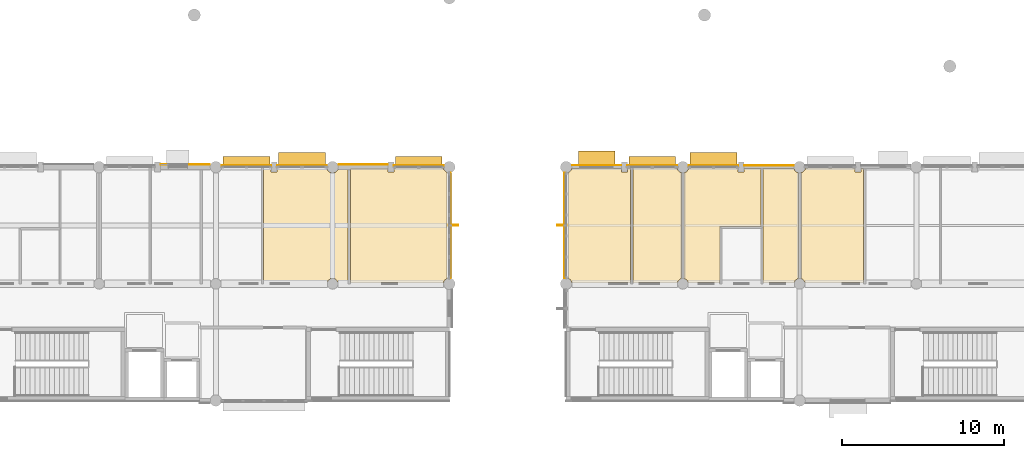
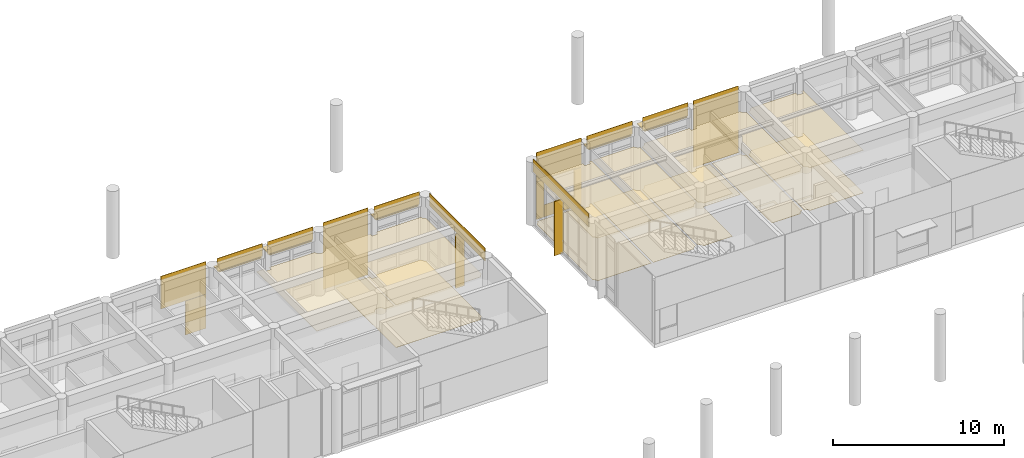
# One storey, part 86 of 92: 28 coverings, 8 shading devices.
"""IFC4 building model written with IfcOpenShell, lengths in metres."""

from ifc_helpers import new_model, si_unit, direction, frame, origin, origin_2d, place, context, subcontext, project, spatial, polyline, rectangle, outline, extrude, material, layer, layer_set, type_object, element, save


model = new_model("IFC4")

# Units and contexts
model_context = context("Model", 3, precision=1e-05, world=origin(), true_north=direction((0.0, 1.0)))
body_context = subcontext(model_context, "Body", "Model", "MODEL_VIEW")
ifc_project = project(units=[si_unit("LENGTHUNIT", "METRE"), si_unit("AREAUNIT", "SQUARE_METRE"), si_unit("VOLUMEUNIT", "CUBIC_METRE"), si_unit("PLANEANGLEUNIT", "RADIAN"), si_unit("MASSUNIT", "GRAM", prefix="KILO")], contexts=[model_context])

# Site, building, storey
site_placement = place(None, origin())
site = spatial("IfcSite", under=ifc_project, at=site_placement, CompositionType="ELEMENT")
building_placement = place(site_placement, origin())
building = spatial("IfcBuilding", under=site, at=building_placement, Name="Namkhue Oval Health Centre", CompositionType="ELEMENT")
storey_placement = place(building_placement, frame((0.0, 0.0, 4.800048828125)))
storey = spatial("IfcBuildingStorey", under=building, at=storey_placement, Name="L01", CompositionType="ELEMENT", Elevation=4.800048828125)

# Coverings
ifc_material_1 = material(Name="Acoustic mineral-fibre cleanroom ceiling", Category="gypsum")
ifc_layer_1 = layer(ifc_material_1, 0.02001953125)
ifc_layer_set_1 = layer_set([ifc_layer_1], Name="Acoustic mineral-fibre cleanroom ceiling")
covering_type_1 = type_object("IfcCoveringType", Name="ACOUSTIC CLEANROOM CEILING 20", PredefinedType="CEILING", material=ifc_layer_set_1)
covering_1_placement = place(storey_placement, frame((0.0, 0.0, 3.050048828125)))
element("IfcCovering", 1, at=covering_1_placement, inside=storey, type_object=covering_type_1, Name="Acoustic Ceiling L01-208 Paediatric Assessment Suite", PredefinedType="CEILING", context=body_context, shape_type="SweptSolid", body=[
    extrude(outline(polyline([(79.5244140625, 97.280029296875), (79.489990234375, 97.367431640625), (79.43701171875, 97.43701171875), (79.367431640625, 97.489990234375), (79.28662109375, 97.523681640625), (79.199951171875, 97.534912109375), (79.11328125, 97.523681640625), (79.032470703125, 97.489990234375), (78.963134765625, 97.43701171875), (78.909912109375, 97.367431640625), (78.87548828125, 97.280029296875), (74.943115234375, 97.280029296875), (74.943115234375, 104.31494140625), (75.4150390625, 104.31494140625), (75.4150390625, 104.090087890625), (75.784912109375, 104.090087890625), (75.784912109375, 104.31494140625), (78.851318359375, 104.31494140625), (78.88818359375, 104.219970703125), (78.9453125, 104.1455078125), (79.02001953125, 104.088134765625), (79.106689453125, 104.05224609375), (79.199951171875, 104.0400390625), (79.293212890625, 104.05224609375), (79.3798828125, 104.088134765625), (79.45458984375, 104.1455078125), (79.51171875, 104.219970703125), (79.548828125, 104.31494140625), (80.1640625, 104.31494140625), (80.1640625, 97.280029296875), (79.5244140625, 97.280029296875)])), origin(), (0.0, 0.0, 1.0), 0.02001953125),
])
covering_2_placement = place(storey_placement, frame((0.0, 0.0, 3.050048828125)))
element("IfcCovering", 2, at=covering_2_placement, inside=storey, type_object=covering_type_1, Name="Acoustic Ceiling L01-209 Electrocardiogram Procedure Room", PredefinedType="CEILING", context=body_context, shape_type="SweptSolid", body=[
    extrude(outline(polyline([(80.303955078125, 97.280029296875), (80.303955078125, 104.31494140625), (82.614990234375, 104.31494140625), (82.614990234375, 104.090087890625), (82.985107421875, 104.090087890625), (82.985107421875, 104.31494140625), (86.05126953125, 104.31494140625), (86.088134765625, 104.219970703125), (86.1455078125, 104.1455078125), (86.219970703125, 104.088134765625), (86.2451171875, 104.077880859375), (86.2451171875, 97.522216796875), (86.219970703125, 97.51171875), (86.1455078125, 97.45458984375), (86.088134765625, 97.3798828125), (86.05224609375, 97.293212890625), (86.050537109375, 97.280029296875), (80.303955078125, 97.280029296875)])), origin(), (0.0, 0.0, 1.0), 0.02001953125),
])
covering_3_placement = place(storey_placement, frame((0.0, 0.0, 3.050048828125)))
element("IfcCovering", 3, at=covering_3_placement, inside=storey, type_object=covering_type_1, Name="Acoustic Ceiling L01-301 OB GYN Examination Suite", PredefinedType="CEILING", context=body_context, shape_type="SweptSolid", body=[
    extrude(outline(polyline([(93.949462890625, 97.280029296875), (93.94775390625, 97.293212890625), (93.911865234375, 97.3798828125), (93.8544921875, 97.45458984375), (93.780029296875, 97.51171875), (93.7548828125, 97.522216796875), (93.7548828125, 104.077880859375), (93.780029296875, 104.088134765625), (93.8544921875, 104.1455078125), (93.911865234375, 104.219970703125), (93.94873046875, 104.31494140625), (97.014892578125, 104.31494140625), (97.014892578125, 104.090087890625), (97.385009765625, 104.090087890625), (97.385009765625, 104.31494140625), (97.580078125, 104.31494140625), (97.580078125, 97.280029296875), (93.949462890625, 97.280029296875)])), origin(), (0.0, 0.0, 1.0), 0.02001953125),
])
covering_4_placement = place(storey_placement, frame((0.0, 0.0, 3.050048828125)))
element("IfcCovering", 4, at=covering_4_placement, inside=storey, type_object=covering_type_1, Name="Acoustic Ceiling L01-302 Sterile Instrument Store", PredefinedType="CEILING", context=body_context, shape_type="SweptSolid", body=[
    extrude(outline(polyline([(97.719970703125, 97.280029296875), (97.719970703125, 104.31494140625), (100.451171875, 104.31494140625), (100.48828125, 104.219970703125), (100.54541015625, 104.1455078125), (100.6201171875, 104.088134765625), (100.706787109375, 104.05224609375), (100.72998046875, 104.04931640625), (100.72998046875, 97.52587890625), (100.71337890625, 97.523681640625), (100.632568359375, 97.489990234375), (100.56298828125, 97.43701171875), (100.510009765625, 97.367431640625), (100.4755859375, 97.280029296875), (97.719970703125, 97.280029296875)])), origin(), (0.0, 0.0, 1.0), 0.02001953125),
])
covering_5_placement = place(storey_placement, frame((0.0, 0.0, 3.050048828125)))
element("IfcCovering", 5, at=covering_5_placement, inside=storey, type_object=covering_type_1, Name="Acoustic Ceiling L01-303 Baby Care and Lactation Room", PredefinedType="CEILING", context=body_context, shape_type="SweptSolid", body=[
    extrude(outline(polyline([(104.215087890625, 104.31494140625), (104.215087890625, 104.090087890625), (104.5849609375, 104.090087890625), (104.5849609375, 104.31494140625), (105.6201171875, 104.31494140625), (105.6201171875, 100.739990234375), (103.080078125, 100.739990234375), (103.080078125, 97.280029296875), (101.12451171875, 97.280029296875), (101.090087890625, 97.367431640625), (101.036865234375, 97.43701171875), (100.967529296875, 97.489990234375), (100.88671875, 97.523681640625), (100.8701171875, 97.52587890625), (100.8701171875, 104.04931640625), (100.893310546875, 104.05224609375), (100.97998046875, 104.088134765625), (101.0546875, 104.1455078125), (101.11181640625, 104.219970703125), (101.148681640625, 104.31494140625), (104.215087890625, 104.31494140625)])), origin(), (0.0, 0.0, 1.0), 0.02001953125),
])
covering_6_placement = place(storey_placement, frame((0.0, 0.0, 3.050048828125)))
element("IfcCovering", 6, at=covering_6_placement, inside=storey, type_object=covering_type_1, Name="Acoustic Ceiling L01-305 Patient Washroom", PredefinedType="CEILING", context=body_context, shape_type="SweptSolid", body=[
    extrude(outline(polyline([(105.739990234375, 97.280029296875), (105.739990234375, 104.31494140625), (107.651123046875, 104.31494140625), (107.688232421875, 104.219970703125), (107.745361328125, 104.1455078125), (107.820068359375, 104.088134765625), (107.90673828125, 104.05224609375), (107.929931640625, 104.04931640625), (107.929931640625, 97.52587890625), (107.913330078125, 97.523681640625), (107.83251953125, 97.489990234375), (107.76318359375, 97.43701171875), (107.7099609375, 97.367431640625), (107.675537109375, 97.280029296875), (105.739990234375, 97.280029296875)])), origin(), (0.0, 0.0, 1.0), 0.02001953125),
])
covering_7_placement = place(storey_placement, frame((0.0, 0.0, 3.050048828125)))
element("IfcCovering", 7, at=covering_7_placement, inside=storey, type_object=covering_type_1, Name="Acoustic Ceiling L01-306 Prenatal Ultrasound Clinic", PredefinedType="CEILING", context=body_context, shape_type="SweptSolid", body=[
    extrude(outline(polyline([(108.324462890625, 97.280029296875), (108.2900390625, 97.367431640625), (108.23681640625, 97.43701171875), (108.16748046875, 97.489990234375), (108.086669921875, 97.523681640625), (108.070068359375, 97.52587890625), (108.070068359375, 104.04931640625), (108.09326171875, 104.05224609375), (108.179931640625, 104.088134765625), (108.254638671875, 104.1455078125), (108.311767578125, 104.219970703125), (108.348876953125, 104.31494140625), (111.4150390625, 104.31494140625), (111.4150390625, 104.090087890625), (111.784912109375, 104.090087890625), (111.784912109375, 104.31494140625), (111.93505859375, 104.31494140625), (111.93505859375, 97.280029296875), (108.324462890625, 97.280029296875)])), origin(), (0.0, 0.0, 1.0), 0.02001953125),
])
ifc_material_2 = material(Name="Homogeneous anti-bacterial clinical vinyl flooring", Category="plastic")
ifc_layer_2 = layer(ifc_material_2, 0.014892578125)
ifc_layer_set_2 = layer_set([ifc_layer_2], Name="Homogeneous anti-bacterial clinical vinyl flooring")
covering_type_2 = type_object("IfcCoveringType", Name="CLINICAL ANTIBACTERIAL VINYL FLOORING 15", PredefinedType="FLOORING", material=ifc_layer_set_2)
covering_8_placement = place(storey_placement, origin())
element("IfcCovering", 8, at=covering_8_placement, inside=storey, type_object=covering_type_2, Name="Clinical Flooring L01-209 Electrocardiogram Procedure Room", PredefinedType="FLOORING", context=body_context, shape_type="SweptSolid", body=[
    extrude(outline(polyline([(80.303955078125, 97.280029296875), (80.303955078125, 104.31494140625), (82.614990234375, 104.31494140625), (82.614990234375, 104.090087890625), (82.985107421875, 104.090087890625), (82.985107421875, 104.31494140625), (86.05126953125, 104.31494140625), (86.088134765625, 104.219970703125), (86.1455078125, 104.1455078125), (86.219970703125, 104.088134765625), (86.2451171875, 104.077880859375), (86.2451171875, 97.522216796875), (86.219970703125, 97.51171875), (86.1455078125, 97.45458984375), (86.088134765625, 97.3798828125), (86.05224609375, 97.293212890625), (86.050537109375, 97.280029296875), (80.303955078125, 97.280029296875)])), origin(), (0.0, 0.0, 1.0), 0.014892578125),
])
covering_9_placement = place(storey_placement, origin())
element("IfcCovering", 9, at=covering_9_placement, inside=storey, type_object=covering_type_2, Name="Clinical Flooring L01-301 OB GYN Examination Suite", PredefinedType="FLOORING", context=body_context, shape_type="SweptSolid", body=[
    extrude(outline(polyline([(93.949462890625, 97.280029296875), (93.94775390625, 97.293212890625), (93.911865234375, 97.3798828125), (93.8544921875, 97.45458984375), (93.780029296875, 97.51171875), (93.7548828125, 97.522216796875), (93.7548828125, 104.077880859375), (93.780029296875, 104.088134765625), (93.8544921875, 104.1455078125), (93.911865234375, 104.219970703125), (93.94873046875, 104.31494140625), (97.014892578125, 104.31494140625), (97.014892578125, 104.090087890625), (97.385009765625, 104.090087890625), (97.385009765625, 104.31494140625), (97.580078125, 104.31494140625), (97.580078125, 97.280029296875), (93.949462890625, 97.280029296875)])), origin(), (0.0, 0.0, 1.0), 0.014892578125),
])
covering_10_placement = place(storey_placement, origin())
element("IfcCovering", 10, at=covering_10_placement, inside=storey, type_object=covering_type_2, Name="Clinical Flooring L01-302 Sterile Instrument Store", PredefinedType="FLOORING", context=body_context, shape_type="SweptSolid", body=[
    extrude(outline(polyline([(97.719970703125, 97.280029296875), (97.719970703125, 104.31494140625), (100.451171875, 104.31494140625), (100.48828125, 104.219970703125), (100.54541015625, 104.1455078125), (100.6201171875, 104.088134765625), (100.706787109375, 104.05224609375), (100.72998046875, 104.04931640625), (100.72998046875, 97.52587890625), (100.71337890625, 97.523681640625), (100.632568359375, 97.489990234375), (100.56298828125, 97.43701171875), (100.510009765625, 97.367431640625), (100.4755859375, 97.280029296875), (97.719970703125, 97.280029296875)])), origin(), (0.0, 0.0, 1.0), 0.014892578125),
])
covering_11_placement = place(storey_placement, origin())
element("IfcCovering", 11, at=covering_11_placement, inside=storey, type_object=covering_type_2, Name="Clinical Flooring L01-303 Baby Care and Lactation Room", PredefinedType="FLOORING", context=body_context, shape_type="SweptSolid", body=[
    extrude(outline(polyline([(104.215087890625, 104.31494140625), (104.215087890625, 104.090087890625), (104.5849609375, 104.090087890625), (104.5849609375, 104.31494140625), (105.6201171875, 104.31494140625), (105.6201171875, 100.739990234375), (103.080078125, 100.739990234375), (103.080078125, 97.280029296875), (101.12451171875, 97.280029296875), (101.090087890625, 97.367431640625), (101.036865234375, 97.43701171875), (100.967529296875, 97.489990234375), (100.88671875, 97.523681640625), (100.8701171875, 97.52587890625), (100.8701171875, 104.04931640625), (100.893310546875, 104.05224609375), (100.97998046875, 104.088134765625), (101.0546875, 104.1455078125), (101.11181640625, 104.219970703125), (101.148681640625, 104.31494140625), (104.215087890625, 104.31494140625)])), origin(), (0.0, 0.0, 1.0), 0.014892578125),
])
covering_12_placement = place(storey_placement, origin())
element("IfcCovering", 12, at=covering_12_placement, inside=storey, type_object=covering_type_2, Name="Clinical Flooring L01-305 Patient Washroom", PredefinedType="FLOORING", context=body_context, shape_type="SweptSolid", body=[
    extrude(outline(polyline([(105.739990234375, 97.280029296875), (105.739990234375, 104.31494140625), (107.651123046875, 104.31494140625), (107.688232421875, 104.219970703125), (107.745361328125, 104.1455078125), (107.820068359375, 104.088134765625), (107.90673828125, 104.05224609375), (107.929931640625, 104.04931640625), (107.929931640625, 97.52587890625), (107.913330078125, 97.523681640625), (107.83251953125, 97.489990234375), (107.76318359375, 97.43701171875), (107.7099609375, 97.367431640625), (107.675537109375, 97.280029296875), (105.739990234375, 97.280029296875)])), origin(), (0.0, 0.0, 1.0), 0.014892578125),
])
covering_13_placement = place(storey_placement, origin())
element("IfcCovering", 13, at=covering_13_placement, inside=storey, type_object=covering_type_2, Name="Clinical Flooring L01-306 Prenatal Ultrasound Clinic", PredefinedType="FLOORING", context=body_context, shape_type="SweptSolid", body=[
    extrude(outline(polyline([(108.324462890625, 97.280029296875), (108.2900390625, 97.367431640625), (108.23681640625, 97.43701171875), (108.16748046875, 97.489990234375), (108.086669921875, 97.523681640625), (108.070068359375, 97.52587890625), (108.070068359375, 104.04931640625), (108.09326171875, 104.05224609375), (108.179931640625, 104.088134765625), (108.254638671875, 104.1455078125), (108.311767578125, 104.219970703125), (108.348876953125, 104.31494140625), (111.4150390625, 104.31494140625), (111.4150390625, 104.090087890625), (111.784912109375, 104.090087890625), (111.784912109375, 104.31494140625), (111.93505859375, 104.31494140625), (111.93505859375, 97.280029296875), (108.324462890625, 97.280029296875)])), origin(), (0.0, 0.0, 1.0), 0.014892578125),
])

# Shading devices
ifc_material_3 = material(Name="Anodised aluminium EN AW-6063 T6", Category="aluminium")
ifc_layer_3 = layer(ifc_material_3, 0.06005859375)
ifc_layer_set_3 = layer_set([ifc_layer_3], Name="Anodised aluminium EN AW-6063 T6")
shading_device_type_1 = type_object("IfcShadingDeviceType", Name="MONSOON SUN LOUVRE 900", PredefinedType="JALOUSIE", material=ifc_layer_set_3)
for number, where, z_axis, x_axis, name in (
    (14, (77.31298828125, 104.85009765625, 3.8349609375), (0.0, 0.0, 1.0), (-1.0, 0.0, 0.0), "Volume V2 L01 Horizontal Monsoon Sun Louvre 66"),
    (15, (102.68701171875, 104.85009765625, 3.809814453125), (0.0, 0.0, 1.0), (-1.0, 0.0, 0.0), "Volume V3 L01 Horizontal Monsoon Sun Louvre 140"),
):
    element("IfcShadingDevice", number, at=place(storey_placement, frame(where, z_axis=z_axis, x_axis=x_axis)), inside=storey, type_object=shading_device_type_1, Name=name, PredefinedType="JALOUSIE", context=body_context, shape_type="SweptSolid", body=[
        extrude(rectangle(XDim=2.884033203125, YDim=0.89990234375, at=origin_2d()), origin(), (0.0, 0.0, 1.0), 0.06005859375),
    ])
shading_device_1_placement = place(storey_placement, frame((95.487060546875, 104.93994140625, 2.699951171875), z_axis=(0.0, 0.0, 1.0), x_axis=(-1.0, 0.0, 0.0)))
element("IfcShadingDevice", 16, at=shading_device_1_placement, inside=storey, type_object=shading_device_type_1, Name="Volume V3 L01 Window Monsoon Louvre 142", PredefinedType="JALOUSIE", context=body_context, shape_type="SweptSolid", body=[
    extrude(rectangle(XDim=2.239990234375, YDim=0.89990234375, at=origin_2d()), origin(), (0.0, 0.0, 1.0), 0.06005859375),
])
ifc_layer_4 = layer(ifc_material_3, 0.050048828125)
ifc_layer_set_4 = layer_set([ifc_layer_4], Name="Anodised aluminium EN AW-6063 T6")
shading_device_type_2 = type_object("IfcShadingDeviceType", Name="STORM SHUTTER LOUVRE 650", PredefinedType="SHUTTER", material=ifc_layer_set_4)
for number, where, z_axis, x_axis, name in (
    (17, (84.512939453125, 104.72509765625, 3.8349609375), (0.0, 0.0, 1.0), (-1.0, 0.0, 0.0), "Volume V2 L01 Horizontal Monsoon Sun Louvre 65"),
    (18, (73.886962890625, 104.72509765625, 3.8349609375), (0.0, 0.0, 1.0), (-1.0, 0.0, 0.0), "Volume V2 L01 Horizontal Monsoon Sun Louvre 67"),
    (19, (98.9130859375, 104.72509765625, 3.809814453125), (0.0, 0.0, 1.0), (-1.0, 0.0, 0.0), "Volume V3 L01 Horizontal Monsoon Sun Louvre 141"),
):
    element("IfcShadingDevice", number, at=place(storey_placement, frame(where, z_axis=z_axis, x_axis=x_axis)), inside=storey, type_object=shading_device_type_2, Name=name, PredefinedType="SHUTTER", context=body_context, shape_type="SweptSolid", body=[
        extrude(rectangle(XDim=2.884033203125, YDim=0.64990234375, at=origin_2d()), origin(), (0.0, 0.0, 1.0), 0.06005859375),
    ])
shading_device_type_3 = type_object("IfcShadingDeviceType", Name="VERTICAL SOLAR FIN 600", PredefinedType="USERDEFINED", material=ifc_material_3)
shading_device_2_placement = place(storey_placement, frame((86.659912109375, 100.800048828125, 0.0), z_axis=(0.0, 0.0, 1.0), x_axis=(1.0, 0.0, 0.0)))
element("IfcShadingDevice", 20, at=shading_device_2_placement, inside=storey, type_object=shading_device_type_3, Name="Volume V2 L01 Extruded Aluminium Solar Fin 64", ObjectType="SOLAR FIN", PredefinedType="USERDEFINED", context=body_context, shape_type="SweptSolid", body=[
    extrude(rectangle(XDim=0.60009765625, YDim=0.06005859375, at=origin_2d()), origin(), (0.0, 0.0, 1.0), 3.905029296875),
])
shading_device_3_placement = place(storey_placement, frame((93.340087890625, 100.800048828125, 0.0), z_axis=(0.0, 0.0, 1.0), x_axis=(-1.0, 0.0, 0.0)))
element("IfcShadingDevice", 21, at=shading_device_3_placement, inside=storey, type_object=shading_device_type_3, Name="Volume V3 L01 Extruded Aluminium Solar Fin 143", ObjectType="SOLAR FIN", PredefinedType="USERDEFINED", context=body_context, shape_type="SweptSolid", body=[
    extrude(rectangle(XDim=0.60009765625, YDim=0.06005859375, at=origin_2d()), origin(), (0.0, 0.0, 1.0), 3.8798828125),
])

# Coverings
ifc_material_4 = material(Name="White glass-fibre reinforced concrete GRC rainscreen cladding", Category="concrete")
ifc_layer_5 = layer(ifc_material_4, 0.02490234375)
ifc_layer_set_5 = layer_set([ifc_layer_5], Name="White glass-fibre reinforced concrete GRC rainscreen cladding")
covering_type_3 = type_object("IfcCoveringType", Name="WHITE GRC RAINSCREEN CLADDING 25", PredefinedType="CLADDING", material=ifc_layer_set_5)
covering_14_placement = place(storey_placement, frame((86.488525390625, 100.800048828125, 3.89013671875), z_axis=(0.0, 0.0, 1.0), x_axis=(0.0, 1.0, 0.0)))
element("IfcCovering", 22, at=covering_14_placement, inside=storey, type_object=covering_type_3, Name="Volume V2 L01 Curtain Wall Spandrel Cladding 50", PredefinedType="CLADDING", context=body_context, shape_type="SweptSolid", body=[
    extrude(rectangle(XDim=6.5, YDim=0.02490234375, at=origin_2d()), origin(), (0.0, 0.0, 1.0), 0.909912109375),
])
covering_15_placement = place(storey_placement, frame((84.512939453125, 104.488525390625, 3.89013671875), z_axis=(0.0, 0.0, 1.0), x_axis=(-1.0, 0.0, 0.0)))
element("IfcCovering", 23, at=covering_15_placement, inside=storey, type_object=covering_type_3, Name="Volume V2 L01 Curtain Wall Spandrel Cladding 51", PredefinedType="CLADDING", context=body_context, shape_type="SweptSolid", body=[
    extrude(rectangle(XDim=3.073974609375, YDim=0.02490234375, at=origin_2d()), origin(), (0.0, 0.0, 1.0), 0.909912109375),
])
covering_16_placement = place(storey_placement, frame((81.0869140625, 104.56689453125, 0.009765625), z_axis=(0.0, 0.0, 1.0), x_axis=(-1.0, 0.0, 0.0)))
element("IfcCovering", 24, at=covering_16_placement, inside=storey, type_object=covering_type_3, Name="Volume V2 L01 Facade 30 White GRC Cladding 1", PredefinedType="CLADDING", context=body_context, shape_type="SweptSolid", body=[
    extrude(rectangle(XDim=3.0439453125, YDim=0.02490234375, at=origin_2d()), origin(), (0.0, 0.0, 1.0), 4.780029296875),
])
for number, where, z_axis, x_axis, name in (
    (25, (77.31298828125, 104.488525390625, 3.89013671875), (0.0, 0.0, 1.0), (-1.0, 0.0, 0.0), "Volume V2 L01 Curtain Wall Spandrel Cladding 52"),
    (26, (73.886962890625, 104.488525390625, 3.89013671875), (0.0, 0.0, 1.0), (-1.0, 0.0, 0.0), "Volume V2 L01 Curtain Wall Spandrel Cladding 53"),
):
    element("IfcCovering", number, at=place(storey_placement, frame(where, z_axis=z_axis, x_axis=x_axis)), inside=storey, type_object=covering_type_3, Name=name, PredefinedType="CLADDING", context=body_context, shape_type="SweptSolid", body=[
        extrude(rectangle(XDim=3.073974609375, YDim=0.02490234375, at=origin_2d()), origin(), (0.0, 0.0, 1.0), 0.909912109375),
    ])
covering_17_placement = place(storey_placement, frame((70.113037109375, 104.572021484375, 2.455078125), z_axis=(0.0, 0.0, 1.0), x_axis=(-1.0, 0.0, 0.0)))
element("IfcCovering", 27, at=covering_17_placement, inside=storey, type_object=covering_type_3, Name="Volume V2 L01 Facade 31 White GRC Cladding 1", PredefinedType="CLADDING", context=body_context, shape_type="SweptSolid", body=[
    extrude(rectangle(XDim=3.0439453125, YDim=0.02490234375, at=origin_2d()), origin(), (0.0, 0.0, 1.0), 2.3349609375),
])
covering_18_placement = place(storey_placement, frame((70.944091796875, 104.572021484375, 0.010009765625), z_axis=(0.0, 0.0, 1.0), x_axis=(-1.0, 0.0, 0.0)))
element("IfcCovering", 28, at=covering_18_placement, inside=storey, type_object=covering_type_3, Name="Volume V2 L01 Facade 31 White GRC Cladding 2", PredefinedType="CLADDING", context=body_context, shape_type="SweptSolid", body=[
    extrude(rectangle(XDim=1.382080078125, YDim=0.02490234375, at=origin_2d()), origin(), (0.0, 0.0, 1.0), 2.43994140625),
])
covering_19_placement = place(storey_placement, frame((106.113037109375, 104.507080078125, 0.009765625), z_axis=(0.0, 0.0, 1.0), x_axis=(-1.0, 0.0, 0.0)))
element("IfcCovering", 29, at=covering_19_placement, inside=storey, type_object=covering_type_3, Name="Volume V3 L01 Facade 66 White GRC Cladding 1", PredefinedType="CLADDING", context=body_context, shape_type="SweptSolid", body=[
    extrude(rectangle(XDim=3.0439453125, YDim=0.02490234375, at=origin_2d()), origin(), (0.0, 0.0, 1.0), 4.780029296875),
])
for number, where, z_axis, x_axis, name in (
    (30, (102.68701171875, 104.488525390625, 3.864990234375), (0.0, 0.0, 1.0), (-1.0, 0.0, 0.0), "Volume V3 L01 Curtain Wall Spandrel Cladding 107"),
    (31, (98.9130859375, 104.488525390625, 3.864990234375), (0.0, 0.0, 1.0), (-1.0, 0.0, 0.0), "Volume V3 L01 Curtain Wall Spandrel Cladding 108"),
):
    element("IfcCovering", number, at=place(storey_placement, frame(where, z_axis=z_axis, x_axis=x_axis)), inside=storey, type_object=covering_type_3, Name=name, PredefinedType="CLADDING", context=body_context, shape_type="SweptSolid", body=[
        extrude(rectangle(XDim=3.073974609375, YDim=0.02490234375, at=origin_2d()), origin(), (0.0, 0.0, 1.0), 0.93505859375),
    ])
covering_20_placement = place(storey_placement, frame((95.487060546875, 104.511962890625, 2.69482421875), z_axis=(0.0, 0.0, 1.0), x_axis=(-1.0, 0.0, 0.0)))
element("IfcCovering", 32, at=covering_20_placement, inside=storey, type_object=covering_type_3, Name="Volume V3 L01 Facade 67 White GRC Cladding 1", PredefinedType="CLADDING", context=body_context, shape_type="SweptSolid", body=[
    extrude(rectangle(XDim=3.0439453125, YDim=0.02490234375, at=origin_2d()), origin(), (0.0, 0.0, 1.0), 2.094970703125),
])
covering_21_placement = place(storey_placement, frame((96.755615234375, 104.511962890625, 0.009765625), z_axis=(0.0, 0.0, 1.0), x_axis=(-1.0, 0.0, 0.0)))
element("IfcCovering", 33, at=covering_21_placement, inside=storey, type_object=covering_type_3, Name="Volume V3 L01 Facade 67 White GRC Cladding 2", PredefinedType="CLADDING", context=body_context, shape_type="SweptSolid", body=[
    extrude(rectangle(XDim=0.507080078125, YDim=0.02490234375, at=origin_2d()), origin(), (0.0, 0.0, 1.0), 2.679931640625),
])
covering_22_placement = place(storey_placement, frame((95.487060546875, 104.511962890625, 0.010009765625), z_axis=(0.0, 0.0, 1.0), x_axis=(-1.0, 0.0, 0.0)))
element("IfcCovering", 34, at=covering_22_placement, inside=storey, type_object=covering_type_3, Name="Volume V3 L01 Facade 67 White GRC Cladding 3", PredefinedType="CLADDING", context=body_context, shape_type="SweptSolid", body=[
    extrude(rectangle(XDim=2.02001953125, YDim=0.02490234375, at=origin_2d()), origin(), (0.0, 0.0, 1.0), 0.875),
])
covering_23_placement = place(storey_placement, frame((94.218505859375, 104.511962890625, 0.009765625), z_axis=(0.0, 0.0, 1.0), x_axis=(-1.0, 0.0, 0.0)))
element("IfcCovering", 35, at=covering_23_placement, inside=storey, type_object=covering_type_3, Name="Volume V3 L01 Facade 67 White GRC Cladding 4", PredefinedType="CLADDING", context=body_context, shape_type="SweptSolid", body=[
    extrude(rectangle(XDim=0.507080078125, YDim=0.02490234375, at=origin_2d()), origin(), (0.0, 0.0, 1.0), 2.679931640625),
])
covering_24_placement = place(storey_placement, frame((93.511474609375, 100.800048828125, 3.864990234375), z_axis=(0.0, 0.0, 1.0), x_axis=(0.0, -1.0, 0.0)))
element("IfcCovering", 36, at=covering_24_placement, inside=storey, type_object=covering_type_3, Name="Volume V3 L01 Curtain Wall Spandrel Cladding 109", PredefinedType="CLADDING", context=body_context, shape_type="SweptSolid", body=[
    extrude(rectangle(XDim=6.5, YDim=0.02490234375, at=origin_2d()), origin(), (0.0, 0.0, 1.0), 0.93505859375),
])

save(model, "model.ifc")
